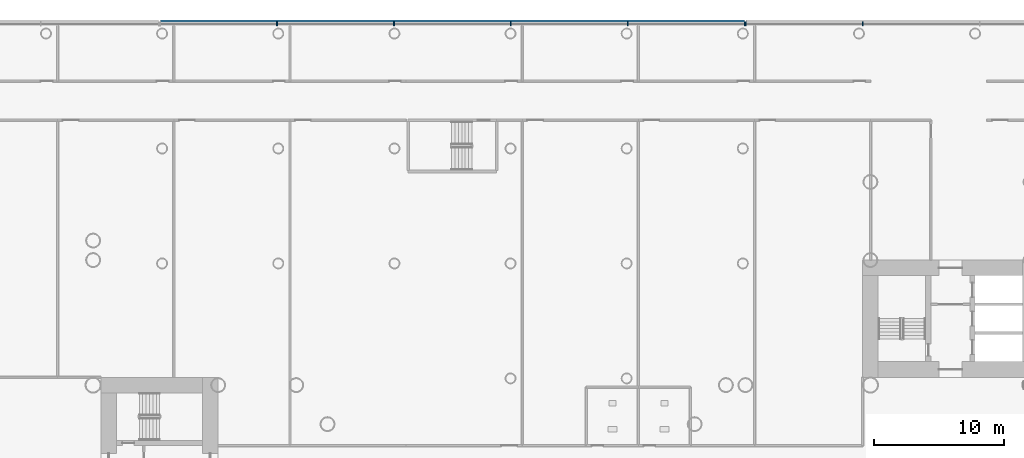
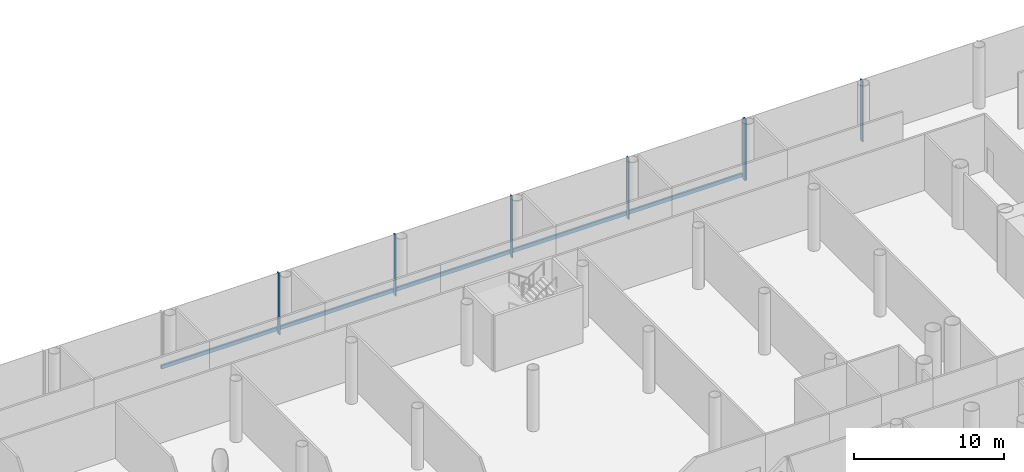
# One storey, part 11 of 59: 8 members, 2 elements without a shape of their own.
"""IFC4 building model written with IfcOpenShell, lengths in metres."""

from ifc_helpers import new_model, si_unit, direction, frame, origin, origin_2d, place, context, subcontext, project, spatial, rectangle, extrude, material, layer, layer_set, material_profile, profile_set, type_object, element, aggregate, save


model = new_model("IFC4")

# Units and contexts
model_context = context("Model", 3, precision=1e-05, world=origin(), true_north=direction((0.0, 1.0)))
body_context = subcontext(model_context, "Body", "Model", "MODEL_VIEW")
ifc_project = project(units=[si_unit("LENGTHUNIT", "METRE"), si_unit("AREAUNIT", "SQUARE_METRE"), si_unit("VOLUMEUNIT", "CUBIC_METRE"), si_unit("PLANEANGLEUNIT", "RADIAN"), si_unit("MASSUNIT", "GRAM", prefix="KILO")], contexts=[model_context])

# Site, building, storey
site_placement = place(None, origin())
site = spatial("IfcSite", under=ifc_project, at=site_placement, CompositionType="ELEMENT")
building_placement = place(site_placement, origin())
building = spatial("IfcBuilding", under=site, at=building_placement, Name="Ipe Terrace Towers", CompositionType="ELEMENT")
storey_placement = place(building_placement, frame((0.0, 0.0, 6.0)))
storey = spatial("IfcBuildingStorey", under=building, at=storey_placement, Name="L01", CompositionType="ELEMENT", Elevation=6.0)

# Curtain wall, members
ifc_material_1 = material(Name="Aluminium alloy 6063-T6", Category="aluminium")
ifc_layer = layer(ifc_material_1, 0.43994140625)
ifc_layer_set = layer_set([ifc_layer], Name="PODIUM GLAZING CURTAIN WALL")
curtain_wall_type = type_object("IfcCurtainWallType", Name="PODIUM GLAZING CURTAIN WALL", PredefinedType="NOTDEFINED", material=ifc_layer_set)
curtain_wall_1_placement = place(storey_placement, origin())
curtain_wall_1 = element("IfcCurtainWall", 1, at=curtain_wall_1_placement, inside=storey, type_object=curtain_wall_type, Name="POD-CW-L01-01a curtain wall", PredefinedType="NOTDEFINED")
ifc_material_2 = material(Name="Aluminium alloy 6063-T6", Category="aluminium")
ifc_material_profile_1 = material_profile(ifc_material_2, rectangle(XDim=0.300048828125, YDim=0.080078125, at=origin_2d()), Name="PODIUM GLAZING MULLION 300 x 80")
ifc_profile_set_1 = profile_set([ifc_material_profile_1], Name="Aluminium alloy 6063-T6")
member_type_1 = type_object("IfcMemberType", Name="PODIUM GLAZING MULLION 300 x 80", PredefinedType="MULLION", material=ifc_profile_set_1)
member_1_placement = place(storey_placement, frame((29.27392578125, 33.89990234375, -0.300048828125), z_axis=(0.0, 0.0, 1.0), x_axis=(0.0, 1.0, 0.0)))
member_1 = element("IfcMember", 2, at=member_1_placement, type_object=member_type_1, Name="POD-CW-L01-01a mullion 5", PredefinedType="MULLION", context=body_context, shape_type="SweptSolid", body=[
    extrude(rectangle(XDim=0.300048828125, YDim=0.080078125, at=origin_2d()), origin(), (0.0, 0.0, 1.0), 5.0),
])
member_2_placement = place(storey_placement, frame((20.2900390625, 33.89990234375, -0.300048828125), z_axis=(0.0, 0.0, 1.0), x_axis=(0.0, 1.0, 0.0)))
member_2 = element("IfcMember", 3, at=member_2_placement, type_object=member_type_1, Name="POD-CW-L01-01a mullion 6", PredefinedType="MULLION", context=body_context, shape_type="SweptSolid", body=[
    extrude(rectangle(XDim=0.300048828125, YDim=0.080078125, at=origin_2d()), origin(), (0.0, 0.0, 1.0), 5.0),
])
aggregate(curtain_wall_1, [member_1, member_2])

curtain_wall_2_placement = place(storey_placement, origin())
curtain_wall_2 = element("IfcCurtainWall", 4, at=curtain_wall_2_placement, inside=storey, type_object=curtain_wall_type, Name="POD-CW-L01-01b curtain wall", PredefinedType="NOTDEFINED")
member_3_placement = place(storey_placement, frame((20.2099609375, 33.89990234375, -0.300048828125), z_axis=(0.0, 0.0, 1.0), x_axis=(0.0, 1.0, 0.0)))
member_3 = element("IfcMember", 5, at=member_3_placement, type_object=member_type_1, Name="POD-CW-L01-01b mullion 1", PredefinedType="MULLION", context=body_context, shape_type="SweptSolid", body=[
    extrude(rectangle(XDim=0.300048828125, YDim=0.080078125, at=origin_2d()), origin(), (0.0, 0.0, 1.0), 5.0),
])
member_4_placement = place(storey_placement, frame((11.22607421875, 33.89990234375, -0.300048828125), z_axis=(0.0, 0.0, 1.0), x_axis=(0.0, 1.0, 0.0)))
member_4 = element("IfcMember", 6, at=member_4_placement, type_object=member_type_1, Name="POD-CW-L01-01b mullion 2", PredefinedType="MULLION", context=body_context, shape_type="SweptSolid", body=[
    extrude(rectangle(XDim=0.300048828125, YDim=0.080078125, at=origin_2d()), origin(), (0.0, 0.0, 1.0), 5.0),
])
member_5_placement = place(storey_placement, frame((2.241943359375, 33.89990234375, -0.300048828125), z_axis=(0.0, 0.0, 1.0), x_axis=(0.0, 1.0, 0.0)))
member_5 = element("IfcMember", 7, at=member_5_placement, type_object=member_type_1, Name="POD-CW-L01-01b mullion 3", PredefinedType="MULLION", context=body_context, shape_type="SweptSolid", body=[
    extrude(rectangle(XDim=0.300048828125, YDim=0.080078125, at=origin_2d()), origin(), (0.0, 0.0, 1.0), 5.0),
])
member_6_placement = place(storey_placement, frame((-6.741943359375, 33.89990234375, -0.300048828125), z_axis=(0.0, 0.0, 1.0), x_axis=(0.0, 1.0, 0.0)))
member_6 = element("IfcMember", 8, at=member_6_placement, type_object=member_type_1, Name="POD-CW-L01-01b mullion 4", PredefinedType="MULLION", context=body_context, shape_type="SweptSolid", body=[
    extrude(rectangle(XDim=0.300048828125, YDim=0.080078125, at=origin_2d()), origin(), (0.0, 0.0, 1.0), 5.0),
])
member_7_placement = place(storey_placement, frame((-15.72607421875, 33.89990234375, -0.300048828125), z_axis=(0.0, 0.0, 1.0), x_axis=(0.0, 1.0, 0.0)))
member_7 = element("IfcMember", 9, at=member_7_placement, type_object=member_type_1, Name="POD-CW-L01-01b mullion 5", PredefinedType="MULLION", context=body_context, shape_type="SweptSolid", body=[
    extrude(rectangle(XDim=0.300048828125, YDim=0.080078125, at=origin_2d()), origin(), (0.0, 0.0, 1.0), 5.0),
])
ifc_material_3 = material(Name="Aluminium alloy 6063-T6", Category="aluminium")
ifc_material_profile_2 = material_profile(ifc_material_3, rectangle(XDim=0.139892578125, YDim=0.300048828125, at=origin_2d()), Name="PODIUM GLAZING TRANSOM 140 x 300")
ifc_profile_set_2 = profile_set([ifc_material_profile_2], Name="Aluminium alloy 6063-T6")
member_type_2 = type_object("IfcMemberType", Name="PODIUM GLAZING TRANSOM 140 x 300", PredefinedType="USERDEFINED", material=ifc_profile_set_2)
member_8_placement = place(storey_placement, frame((20.169921875, 34.1201171875, 0.0), z_axis=(-1.0, 0.0, 0.0), x_axis=(0.0, 1.0, 0.0)))
member_8 = element("IfcMember", 10, at=member_8_placement, type_object=member_type_2, Name="POD-CW-L01-01b transom", ObjectType="TRANSOM", PredefinedType="USERDEFINED", context=body_context, shape_type="SweptSolid", body=[
    extrude(rectangle(XDim=0.139892578125, YDim=0.300048828125, at=origin_2d()), origin(), (0.0, 0.0, 1.0), 44.83984375),
])
aggregate(curtain_wall_2, [member_3, member_4, member_5, member_6, member_7, member_8])

save(model, "model.ifc")
